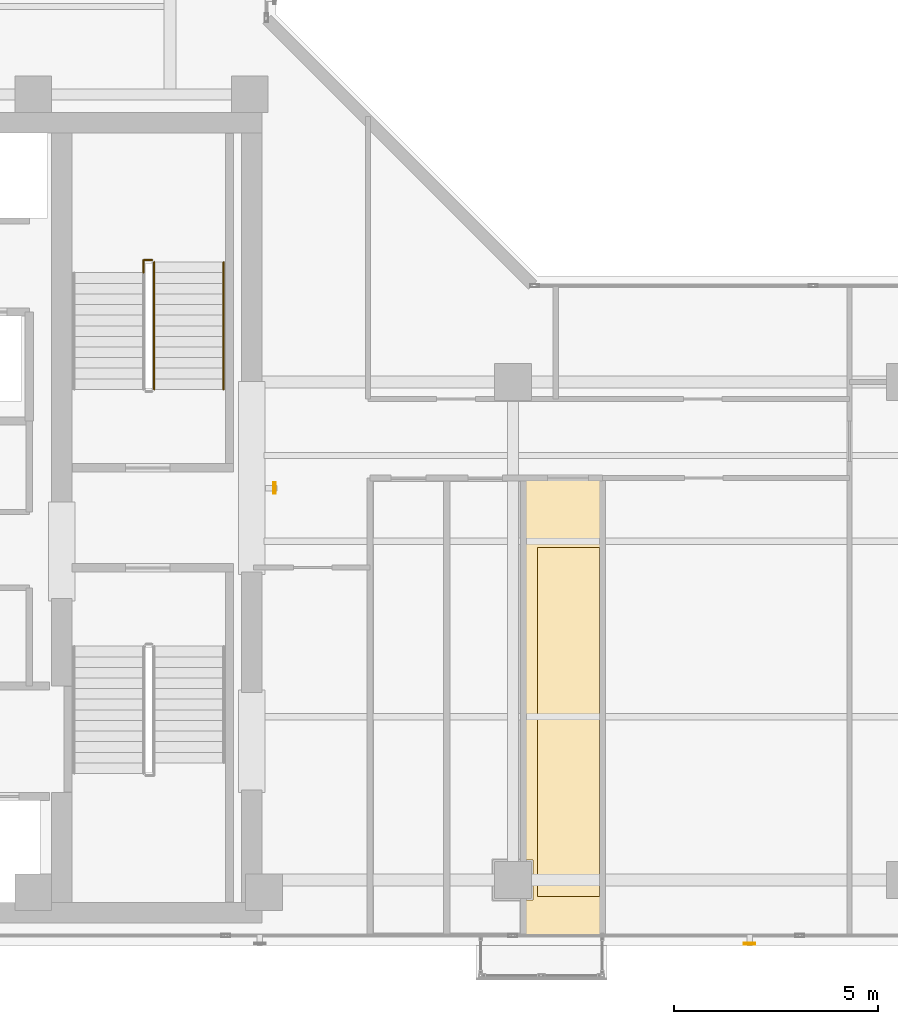
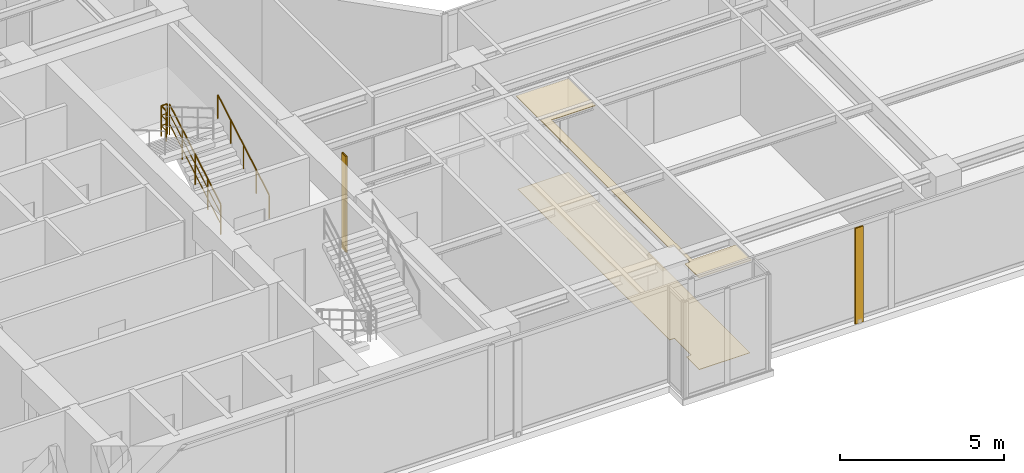
# One storey, part 21 of 22: 3 railings, 2 coverings, 2 shading devices.
"""IFC4 building model written with IfcOpenShell, lengths in metres."""

import ifcopenshell
import ifcopenshell.guid

model = None  # the IFC model being written
_history = None  # IfcOwnerHistory: only IFC2X3 demands one
_inside = {}  # id of a spatial element -> (the spatial element, [elements in it])
_under = {}  # id of a project, library or spatial element -> (it, [spatial elements below it])
_declared = {}  # id of a project -> (the project, [libraries it declares])
_typed = {}  # id of a type object -> (the type object, [elements of that type])
_made_of = {}  # id of a material, layer set ... -> (it, [elements and type objects made of it])


def new_model(schema):
    """Start an empty IFC model of exactly this schema.

    Asked for "IFC4X3", IfcOpenShell would pick the latest addendum, in which some entities
    have other attributes; the version numbers below select the first issue.
    IFC2X3 requires an IfcOwnerHistory on every rooted entity: one is made here for all.
    """
    global model, _history
    if schema == "IFC4X3":
        model = ifcopenshell.file(schema_version=(4, 3, 0, 0))
    else:
        model = ifcopenshell.file(schema=schema)
    _inside.clear()
    _under.clear()
    _declared.clear()
    _typed.clear()
    _made_of.clear()
    _history = None
    if model.schema == "IFC2X3":
        org = make("IfcOrganization", Name="unknown")
        user = make(
            "IfcPersonAndOrganization",
            ThePerson=make("IfcPerson", FamilyName="unknown"),
            TheOrganization=org,
        )
        app = make(
            "IfcApplication",
            ApplicationDeveloper=org,
            Version="unknown",
            ApplicationFullName="unknown",
            ApplicationIdentifier="unknown",
        )
        _history = make(
            "IfcOwnerHistory",
            OwningUser=user,
            OwningApplication=app,
            ChangeAction="ADDED",
            CreationDate=0,
        )
    return model


def make(cls, **values):
    """One entity of the class cls with the attributes given. An attribute that is None is left unset."""
    return model.create_entity(
        cls, **{name: value for name, value in values.items() if value is not None}
    )


def rooted(cls, **values):
    """An entity with a GlobalId (a new one), such as an element, a storey or a relation."""
    return make(cls, GlobalId=ifcopenshell.guid.new(), OwnerHistory=_history, **values)


def si_unit(unit_type, name, prefix=None):
    """IfcSIUnit, for example si_unit("LENGTHUNIT", "METRE", prefix="MILLI")."""
    return make("IfcSIUnit", UnitType=unit_type, Prefix=prefix, Name=name)


def assignment(units):
    """IfcUnitAssignment: the units of a project."""
    return None if units is None else make("IfcUnitAssignment", Units=units)


def point(xyz):
    """IfcCartesianPoint."""
    return None if xyz is None else make("IfcCartesianPoint", Coordinates=xyz)


def direction(xyz):
    """IfcDirection."""
    return None if xyz is None else make("IfcDirection", DirectionRatios=xyz)


def frame(location, z_axis=None, x_axis=None):
    """IfcAxis2Placement3D, a coordinate frame: its origin and axes. An axis left out is left unset."""
    return make(
        "IfcAxis2Placement3D",
        Location=point(location),
        Axis=direction(z_axis),
        RefDirection=direction(x_axis),
    )


def frame_2d(location, x_axis=None):
    """IfcAxis2Placement2D, a coordinate frame in the plane: its origin and x axis."""
    return make(
        "IfcAxis2Placement2D", Location=point(location), RefDirection=direction(x_axis)
    )


def origin():
    """The frame at (0, 0, 0) with its axes left unset."""
    return frame((0.0, 0.0, 0.0))


def origin_2d():
    """The frame at (0, 0) in the plane with its x axis left unset."""
    return frame_2d((0.0, 0.0))


def place(relative_to, where):
    """IfcLocalPlacement: puts the frame where relative to a parent placement (None: the world)."""
    return make(
        "IfcLocalPlacement", PlacementRelTo=relative_to, RelativePlacement=where
    )


def context(
    kind, dimensions, precision=None, world=None, true_north=None, identifier=None
):
    """IfcGeometricRepresentationContext, for example the 3D "Model" context."""
    return make(
        "IfcGeometricRepresentationContext",
        ContextIdentifier=identifier,
        ContextType=kind,
        CoordinateSpaceDimension=dimensions,
        Precision=precision,
        WorldCoordinateSystem=world,
        TrueNorth=true_north,
    )


def subcontext(parent, identifier, kind, view, scale=None):
    """IfcGeometricRepresentationSubContext, for example "Body" below "Model"."""
    return make(
        "IfcGeometricRepresentationSubContext",
        ContextIdentifier=identifier,
        ContextType=kind,
        ParentContext=parent,
        TargetScale=scale,
        TargetView=view,
    )


def project(units=None, contexts=None):
    """IfcProject with its units and contexts."""
    return rooted(
        "IfcProject",
        Name="project",
        RepresentationContexts=contexts,
        UnitsInContext=assignment(units),
    )


def spatial(cls, under=None, at=None, **own):
    """A site, building, storey or space (cls), placed at a placement, below another one or the project."""
    s = rooted(cls, ObjectPlacement=at, **own)
    if under is not None:
        _under.setdefault(under.id(), (under, []))[1].append(s)
    return s


def polyline(points):
    """IfcPolyline through the points."""
    return make("IfcPolyline", Points=[point(p) for p in points])


def profile(cls, at=None, kind="AREA", **sizes):
    """A parametric profile (cls). Its sizes go by their IFC names, for example OverallWidth=200.0."""
    return make(cls, ProfileType=kind, Position=at, **sizes)


def hollow_rectangle(**sizes):
    """IfcRectangleHollowProfileDef."""
    return profile("IfcRectangleHollowProfileDef", **sizes)


def circle(**sizes):
    """IfcCircleProfileDef."""
    return profile("IfcCircleProfileDef", **sizes)


def outline(outer, holes=None, kind="AREA"):
    """IfcArbitraryClosedProfileDef: a profile drawn as a closed curve; with holes, ...WithVoids."""
    if holes is None:
        return make("IfcArbitraryClosedProfileDef", ProfileType=kind, OuterCurve=outer)
    return make(
        "IfcArbitraryProfileDefWithVoids",
        ProfileType=kind,
        OuterCurve=outer,
        InnerCurves=holes,
    )


def extrude(swept, where, along, depth):
    """IfcExtrudedAreaSolid: the profile swept, set in the frame where, extruded along a direction by depth."""
    return make(
        "IfcExtrudedAreaSolid",
        SweptArea=swept,
        Position=where,
        ExtrudedDirection=direction(along),
        Depth=depth,
    )


def shape(context_of_items, identifier, shape_type, items):
    """IfcShapeRepresentation: the items that make up one representation, for example the "Body"."""
    return make(
        "IfcShapeRepresentation",
        ContextOfItems=context_of_items,
        RepresentationIdentifier=identifier,
        RepresentationType=shape_type,
        Items=items,
    )


def material(Name=None, Category=None):
    """IfcMaterial."""
    return make("IfcMaterial", Name=Name, Category=Category)


def layer(
    of_material, thickness, ventilated=None, Name=None, Category=None, Priority=None
):
    """IfcMaterialLayer: one layer of a wall or slab, of a material (None: an air gap)."""
    return make(
        "IfcMaterialLayer",
        Material=of_material,
        LayerThickness=thickness,
        IsVentilated=ventilated,
        Name=Name,
        Category=Category,
        Priority=Priority,
    )


def layer_set(layers, Name=None):
    """IfcMaterialLayerSet."""
    return make("IfcMaterialLayerSet", MaterialLayers=layers, LayerSetName=Name)


def material_profile(
    of_material, cross_section, Name=None, Category=None, Priority=None
):
    """IfcMaterialProfile: a cross section and its material."""
    return make(
        "IfcMaterialProfile",
        Name=Name,
        Material=of_material,
        Profile=cross_section,
        Priority=Priority,
        Category=Category,
    )


def profile_set(profiles, Name=None, composite=None):
    """IfcMaterialProfileSet."""
    return make(
        "IfcMaterialProfileSet",
        Name=Name,
        MaterialProfiles=profiles,
        CompositeProfile=composite,
    )


def made_of(thing, what):
    """Note that an element or type object is made of a material, layer set ...; save() writes the relation."""
    if what is not None:
        _made_of.setdefault(what.id(), (what, []))[1].append(thing)
    return thing


def type_object(cls, material=None, **own):
    """A type object (cls), such as IfcWallType, which elements share."""
    return made_of(rooted(cls, **own), material)


def element(
    cls,
    number,
    at=None,
    inside=None,
    cuts=None,
    type_object=None,
    material=None,
    context=None,
    identifier="Body",
    shape_type=None,
    held_by="IfcProductDefinitionShape",
    body=None,
    shapes=None,
    **own,
):
    """One element of the class cls, such as IfcWall. Its Tag is "e" and its number.

    at: its placement. inside: the storey or other place that contains it. cuts: it is an
    opening in that element (IfcRelVoidsElement). A single representation is given by context,
    identifier, shape_type and body (its items); several are given by shapes. held_by: the class
    of the entity that holds the representations. save() writes the other relations.
    """
    e = rooted(cls, Tag="e%d" % number, ObjectPlacement=at, **own)
    if body is not None:
        shapes = [shape(context, identifier, shape_type, body)]
    if shapes is not None:
        e.Representation = make(held_by, Representations=shapes)
    if inside is not None:
        _inside.setdefault(inside.id(), (inside, []))[1].append(e)
    if cuts is not None:
        rooted(
            "IfcRelVoidsElement", RelatingBuildingElement=cuts, RelatedOpeningElement=e
        )
    if type_object is not None:
        _typed.setdefault(type_object.id(), (type_object, []))[1].append(e)
    return made_of(e, material)


def aggregate(whole, parts):
    """IfcRelAggregates: a whole, such as a stair, and the parts it consists of."""
    return rooted("IfcRelAggregates", RelatingObject=whole, RelatedObjects=parts)


def save(model, path):
    """Write the relations noted so far, then the file.

    IfcRelAggregates (storeys below a building ...), IfcRelContainedInSpatialStructure (elements
    in a storey), IfcRelDefinesByType, IfcRelAssociatesMaterial and IfcRelDeclares: one each for
    every whole, place, type object, material and project.
    """
    for whole, parts in _under.values():
        aggregate(whole, parts)
    for where, things in _inside.values():
        rooted(
            "IfcRelContainedInSpatialStructure",
            RelatedElements=things,
            RelatingStructure=where,
        )
    for kind, things in _typed.values():
        rooted("IfcRelDefinesByType", RelatedObjects=things, RelatingType=kind)
    for what, things in _made_of.values():
        rooted("IfcRelAssociatesMaterial", RelatedObjects=things, RelatingMaterial=what)
    for by, libraries in _declared.values():
        rooted("IfcRelDeclares", RelatingContext=by, RelatedDefinitions=libraries)
    model.write(path)


model = new_model("IFC4")

# Units and contexts
model_context = context("Model", 3, precision=1e-05, world=origin(), true_north=direction((0.0, 1.0)))
body_context = subcontext(model_context, "Body", "Model", "MODEL_VIEW")
ifc_project = project(units=[si_unit("LENGTHUNIT", "METRE"), si_unit("AREAUNIT", "SQUARE_METRE"), si_unit("VOLUMEUNIT", "CUBIC_METRE"), si_unit("PLANEANGLEUNIT", "RADIAN"), si_unit("MASSUNIT", "GRAM", prefix="KILO")], contexts=[model_context])

# Site, building, storey
site_placement = place(None, origin())
site = spatial("IfcSite", under=ifc_project, at=site_placement, CompositionType="ELEMENT")
building_placement = place(site_placement, origin())
building = spatial("IfcBuilding", under=site, at=building_placement, Name="Kolvaren Waterfront Exchange", CompositionType="ELEMENT")
storey_placement = place(building_placement, frame((0.0, 0.0, 262.800048828125)))
storey = spatial("IfcBuildingStorey", under=building, at=storey_placement, Name="L67", CompositionType="ELEMENT", Elevation=262.800048828125)

# Covering
ifc_material_1 = material(Name="Mineral fibre acoustic ceiling tile")
ifc_layer_1 = layer(ifc_material_1, 0.02490234375, Name="Mineral fibre acoustic ceiling tile")
ifc_layer_set_1 = layer_set([ifc_layer_1], Name="Mineral fibre acoustic ceiling tile")
covering_type_1 = type_object("IfcCoveringType", Name="ARC-CEIL-ACOUSTIC-25", PredefinedType="CEILING", material=ifc_layer_set_1)
covering_1_placement = place(storey_placement, frame((0.0, 0.0, 3.445068359375)))
element("IfcCovering", 1, at=covering_1_placement, inside=storey, type_object=covering_type_1, Name="L67 acoustic suspended ceiling 3", PredefinedType="CEILING", context=body_context, shape_type="SweptSolid", body=[
    extrude(outline(polyline([(27.5048828125, 5.68994140625), (27.68994140625, 5.68994140625), (27.68994140625, 4.7099609375), (27.5048828125, 4.7099609375), (27.5048828125, 3.864990234375), (29.35498046875, 3.864990234375), (29.35498046875, 4.800048828125), (27.800048828125, 4.800048828125), (27.800048828125, 13.35009765625), (29.35498046875, 13.35009765625), (29.35498046875, 14.9951171875), (27.5048828125, 14.9951171875), (27.5048828125, 5.68994140625)])), origin(), (0.0, 0.0, 1.0), 0.02490234375),
])

# Shading devices
ifc_material_2 = material(Name="Anodised bronze aluminium 6063-T6", Category="aluminium")
ifc_material_profile = material_profile(ifc_material_2, hollow_rectangle(XDim=0.054931640625, YDim=0.280029296875, WallThickness=0.00439453125, at=origin_2d()), Name="BRZ-FIN-280x55x4.5")
ifc_profile_set = profile_set([ifc_material_profile], Name="Anodised bronze aluminium 6063-T6")
shading_device_type = type_object("IfcShadingDeviceType", Name="ARC-FIN-280", PredefinedType="USERDEFINED", material=ifc_profile_set)
for number, where, z_axis, x_axis, name in (
    (2, (33.0, 3.639892578125, 0.0), (0.0, 0.0, 1.0), (0.0, -1.0, 0.0), "L67 anodised bronze solar shading fin FIN-L67-S3"),
    (3, (21.360107421875, 14.800048828125, 0.0), (0.0, 0.0, 1.0), (1.0, 0.0, 0.0), "L67 anodised bronze solar shading fin FIN-L67-E1"),
):
    element("IfcShadingDevice", number, at=place(storey_placement, frame(where, z_axis=z_axis, x_axis=x_axis)), inside=storey, type_object=shading_device_type, Name=name, ObjectType="SOLAR FIN", PredefinedType="USERDEFINED", context=body_context, shape_type="SweptSolid", body=[
        extrude(hollow_rectangle(XDim=0.054931640625, YDim=0.280029296875, WallThickness=0.00439453125, at=origin_2d()), origin(), (0.0, 0.0, 1.0), 3.56005859375),
    ])

# Covering
ifc_material_3 = material(Name="Slip-resistant porcelain tile")
ifc_layer_2 = layer(ifc_material_3, 0.014892578125, Name="Slip-resistant porcelain tile")
ifc_layer_set_2 = layer_set([ifc_layer_2], Name="Slip-resistant porcelain tile")
covering_type_2 = type_object("IfcCoveringType", Name="ARC-FLR-PORC-15", PredefinedType="FLOORING", material=ifc_layer_set_2)
covering_2_placement = place(storey_placement, origin())
element("IfcCovering", 4, at=covering_2_placement, inside=storey, type_object=covering_type_2, Name="L67 floor finish 3", PredefinedType="FLOORING", context=body_context, shape_type="SweptSolid", body=[
    extrude(outline(polyline([(27.5400390625, 4.68994140625), (27.5400390625, 3.89990234375), (29.320068359375, 3.89990234375), (29.320068359375, 14.9599609375), (27.5400390625, 14.9599609375), (27.5400390625, 5.7099609375), (27.7099609375, 5.7099609375), (27.7099609375, 4.68994140625), (27.5400390625, 4.68994140625)])), origin(), (0.0, 0.0, 1.0), 0.014892578125),
])

# Railings
ifc_material_4 = material(Name="Stainless steel 316", Category="steel")
railing_type_1 = type_object("IfcRailingType", Name="ARC-GUARD-STAIR", PredefinedType="GUARDRAIL", material=ifc_material_4)
railing_1_placement = place(storey_placement, frame((18.409912109375, 17.219970703125, 0.15185546875)))
element("IfcRailing", 5, at=railing_1_placement, inside=storey, type_object=railing_type_1, Name="L67 ST2 stair guard 1", PredefinedType="GUARDRAIL", context=body_context, shape_type="SweptSolid", body=[
    extrude(circle(Radius=0.02392578125, at=origin_2d()), frame((0.0, 0.0, 1.1259765625), z_axis=(0.0, 0.86330811405, 0.504677223793), x_axis=(-1.0, 0.0, 0.0)), (0.0, 0.0, 1.0), 3.6142578125),
    extrude(circle(Radius=0.01611328125, at=origin_2d()), frame((0.0, 0.0, 0.390869140625), z_axis=(0.0, 0.86330811405, 0.504677223793), x_axis=(-1.0, 0.0, 0.0)), (0.0, 0.0, 1.0), 3.6142578125),
    extrude(circle(Radius=0.01611328125, at=origin_2d()), frame((0.0, 0.0, 0.7705078125), z_axis=(0.0, 0.86330811405, 0.504677223793), x_axis=(-1.0, 0.0, 0.0)), (0.0, 0.0, 1.0), 3.6142578125),
    extrude(circle(Radius=0.02099609375, at=origin_2d()), origin(), (0.0, 0.0, 1.0), 1.101806640625),
    extrude(circle(Radius=0.02099609375, at=origin_2d()), frame((0.0, 0.780029296875, 0.4560546875)), (0.0, 0.0, 1.0), 1.101806640625),
    extrude(circle(Radius=0.02099609375, at=origin_2d()), frame((0.0, 1.56005859375, 0.912109375)), (0.0, 0.0, 1.0), 1.101806640625),
    extrude(circle(Radius=0.02099609375, at=origin_2d()), frame((0.0, 2.340087890625, 1.367919921875)), (0.0, 0.0, 1.0), 1.101806640625),
    extrude(circle(Radius=0.02099609375, at=origin_2d()), frame((0.0, 3.1201171875, 1.823974609375)), (0.0, 0.0, 1.0), 1.101806640625),
])
railing_2_placement = place(storey_placement, frame((18.360107421875, 20.389892578125, 1.975830078125)))
element("IfcRailing", 6, at=railing_2_placement, inside=storey, type_object=railing_type_1, Name="L67 ST2 stair guard 2", PredefinedType="GUARDRAIL", context=body_context, shape_type="SweptSolid", body=[
    extrude(circle(Radius=0.02392578125, at=origin_2d()), frame((0.0, 0.0, 1.1259765625), z_axis=(-1.0, 0.0, 0.0), x_axis=(0.0, -1.0, 0.0)), (0.0, 0.0, 1.0), 0.210205078125),
    extrude(circle(Radius=0.01611328125, at=origin_2d()), frame((0.0, 0.0, 0.390869140625), z_axis=(-1.0, 0.0, 0.0), x_axis=(0.0, -1.0, 0.0)), (0.0, 0.0, 1.0), 0.210205078125),
    extrude(circle(Radius=0.01611328125, at=origin_2d()), frame((0.0, 0.0, 0.7705078125), z_axis=(-1.0, 0.0, 0.0), x_axis=(0.0, -1.0, 0.0)), (0.0, 0.0, 1.0), 0.210205078125),
    extrude(circle(Radius=0.02392578125, at=origin_2d()), frame((-0.210205078125, 0.0, 1.1259765625), z_axis=(0.0, -1.0, 0.0), x_axis=(1.0, 0.0, 0.0)), (0.0, 0.0, 1.0), 0.309814453125),
    extrude(circle(Radius=0.01611328125, at=origin_2d()), frame((-0.210205078125, 0.0, 0.390869140625), z_axis=(0.0, -1.0, 0.0), x_axis=(1.0, 0.0, 0.0)), (0.0, 0.0, 1.0), 0.309814453125),
    extrude(circle(Radius=0.01611328125, at=origin_2d()), frame((-0.210205078125, 0.0, 0.7705078125), z_axis=(0.0, -1.0, 0.0), x_axis=(1.0, 0.0, 0.0)), (0.0, 0.0, 1.0), 0.309814453125),
    extrude(circle(Radius=0.02099609375, at=origin_2d()), origin(), (0.0, 0.0, 1.0), 1.101806640625),
    extrude(circle(Radius=0.02099609375, at=origin_2d()), frame((-0.210205078125, 0.0, 0.0)), (0.0, 0.0, 1.0), 1.101806640625),
    extrude(circle(Radius=0.02099609375, at=origin_2d()), frame((-0.210205078125, -0.309814453125, 0.0)), (0.0, 0.0, 1.0), 1.101806640625),
])
railing_type_2 = type_object("IfcRailingType", Name="ARC-HANDRAIL-900", PredefinedType="HANDRAIL", material=ifc_material_4)
railing_3_placement = place(storey_placement, frame((20.110107421875, 17.219970703125, 0.15185546875)))
element("IfcRailing", 7, at=railing_3_placement, inside=storey, type_object=railing_type_2, Name="L67 ST2 stair handrail 1", PredefinedType="HANDRAIL", context=body_context, shape_type="SweptSolid", body=[
    extrude(circle(Radius=0.02392578125, at=origin_2d()), frame((0.0, 0.0, 0.8759765625), z_axis=(0.0, 0.86330811405, 0.504677223793), x_axis=(-1.0, 0.0, 0.0)), (0.0, 0.0, 1.0), 3.6142578125),
    extrude(circle(Radius=0.02099609375, at=origin_2d()), origin(), (0.0, 0.0, 1.0), 0.851806640625),
    extrude(circle(Radius=0.02099609375, at=origin_2d()), frame((0.0, 0.780029296875, 0.4560546875)), (0.0, 0.0, 1.0), 0.851806640625),
    extrude(circle(Radius=0.02099609375, at=origin_2d()), frame((0.0, 1.56005859375, 0.912109375)), (0.0, 0.0, 1.0), 0.851806640625),
    extrude(circle(Radius=0.02099609375, at=origin_2d()), frame((0.0, 2.340087890625, 1.367919921875)), (0.0, 0.0, 1.0), 0.851806640625),
    extrude(circle(Radius=0.02099609375, at=origin_2d()), frame((0.0, 3.1201171875, 1.823974609375)), (0.0, 0.0, 1.0), 0.851806640625),
])

save(model, "model.ifc")
